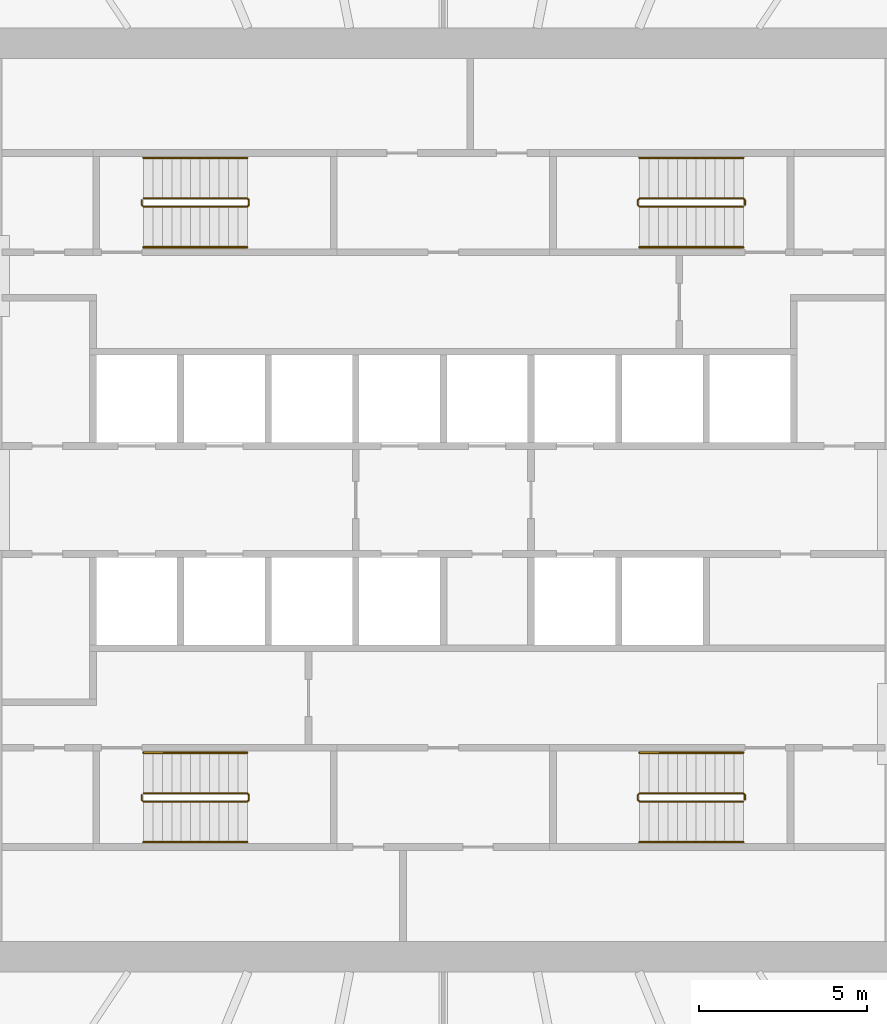
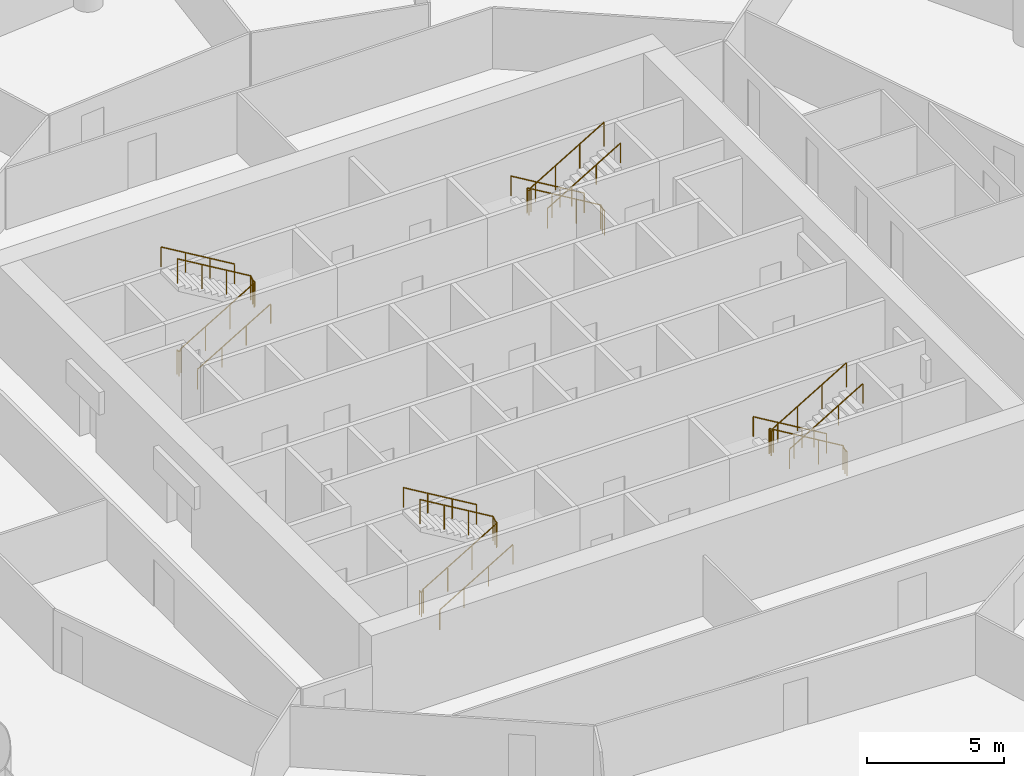
# One storey, part 9 of 9: 12 railings.
"""IFC4 building model written with IfcOpenShell, lengths in metres."""

from ifc_helpers import new_model, si_unit, direction, frame, origin, origin_2d, place, context, subcontext, project, spatial, circle, extrude, material, type_object, element, save


model = new_model("IFC4")

# Units and contexts
model_context = context("Model", 3, precision=1e-05, world=origin(), true_north=direction((0.0, 1.0)))
body_context = subcontext(model_context, "Body", "Model", "MODEL_VIEW")
ifc_project = project(units=[si_unit("LENGTHUNIT", "METRE"), si_unit("AREAUNIT", "SQUARE_METRE"), si_unit("VOLUMEUNIT", "CUBIC_METRE"), si_unit("PLANEANGLEUNIT", "RADIAN"), si_unit("MASSUNIT", "GRAM", prefix="KILO")], contexts=[model_context])

# Site, building, storey
site_placement = place(None, origin())
site = spatial("IfcSite", under=ifc_project, at=site_placement, CompositionType="ELEMENT")
building_placement = place(site_placement, origin())
building = spatial("IfcBuilding", under=site, at=building_placement, Name="Corvane Civic Tower", CompositionType="ELEMENT")
storey_placement = place(building_placement, frame((0.0, 0.0, 184.0)))
storey = spatial("IfcBuildingStorey", under=building, at=storey_placement, Name="L43", CompositionType="ELEMENT", Elevation=184.0)

# Railings
ifc_material_1 = material(Name="Steel ASTM A572 Gr 50", Category="steel")
railing_type_1 = type_object("IfcRailingType", Name="ST-GUARD-1100", PredefinedType="GUARDRAIL", material=ifc_material_1)
railing_1_placement = place(storey_placement, frame((8.949951171875, 8.75, 0.0)))
element("IfcRailing", 1, at=railing_1_placement, inside=storey, type_object=railing_type_1, Name="L43 ST1 stair guard 1", PredefinedType="GUARDRAIL", context=body_context, shape_type="SweptSolid", body=[
    extrude(circle(Radius=0.02392578125, at=origin_2d()), frame((0.0, 0.0, 1.076171875), z_axis=(0.0, 1.0, 0.0), x_axis=(-1.0, 0.0, 0.0)), (0.0, 0.0, 1.0), 0.14990234375),
    extrude(circle(Radius=0.02392578125, at=origin_2d()), frame((0.0, 0.14990234375, 1.076171875), z_axis=(-0.27628659633, 0.27628659633, 0.920506074601), x_axis=(-0.707106781187, -0.707106781187, 0.0)), (0.0, 0.0, 1.0), 0.18115234375),
    extrude(circle(Radius=0.02392578125, at=origin_2d()), frame((-0.050048828125, 0.199951171875, 1.24267578125), z_axis=(-0.859290745958, 0.0, 0.51148745235), x_axis=(0.0, -1.0, 0.0)), (0.0, 0.0, 1.0), 3.584228515625),
    extrude(circle(Radius=0.02392578125, at=origin_2d()), frame((-3.1298828125, 0.199951171875, 3.076171875), z_axis=(-0.707106781187, -0.707106781187, 0.0), x_axis=(0.707106781187, -0.707106781187, 0.0)), (0.0, 0.0, 1.0), 0.07080078125),
    extrude(circle(Radius=0.02392578125, at=origin_2d()), frame((-3.179931640625, 0.14990234375, 3.076171875), z_axis=(0.0, -1.0, 0.0), x_axis=(1.0, 0.0, 0.0)), (0.0, 0.0, 1.0), 0.14990234375),
    extrude(circle(Radius=0.02392578125, at=origin_2d()), frame((-3.179931640625, 0.0, 3.076171875), z_axis=(0.27628659633, -0.27628659633, 0.920506074601), x_axis=(0.707106781187, 0.707106781187, 0.0)), (0.0, 0.0, 1.0), 0.18115234375),
    extrude(circle(Radius=0.02392578125, at=origin_2d()), frame((-3.1298828125, -0.050048828125, 3.24267578125), z_axis=(0.859290745958, 0.0, 0.51148745235), x_axis=(0.0, 1.0, 0.0)), (0.0, 0.0, 1.0), 3.584228515625),
    extrude(circle(Radius=0.02099609375, at=origin_2d()), origin(), (0.0, 0.0, 1.0), 1.052001953125),
    extrude(circle(Radius=0.02099609375, at=origin_2d()), frame((0.0, 0.14990234375, 0.0)), (0.0, 0.0, 1.0), 1.052001953125),
    extrude(circle(Radius=0.02099609375, at=origin_2d()), frame((-0.050048828125, 0.199951171875, 0.166748046875)), (0.0, 0.0, 1.0), 1.052001953125),
    extrude(circle(Radius=0.02099609375, at=origin_2d()), frame((-1.07666015625, 0.199951171875, 0.77783203125)), (0.0, 0.0, 1.0), 1.052001953125),
    extrude(circle(Radius=0.02099609375, at=origin_2d()), frame((-2.103271484375, 0.199951171875, 1.388916015625)), (0.0, 0.0, 1.0), 1.052001953125),
    extrude(circle(Radius=0.02099609375, at=origin_2d()), frame((-3.1298828125, 0.199951171875, 2.0)), (0.0, 0.0, 1.0), 1.052001953125),
    extrude(circle(Radius=0.02099609375, at=origin_2d()), frame((-3.179931640625, 0.14990234375, 2.0)), (0.0, 0.0, 1.0), 1.052001953125),
    extrude(circle(Radius=0.02099609375, at=origin_2d()), frame((-3.179931640625, 0.0, 2.0)), (0.0, 0.0, 1.0), 1.052001953125),
    extrude(circle(Radius=0.02099609375, at=origin_2d()), frame((-3.1298828125, -0.050048828125, 2.166748046875)), (0.0, 0.0, 1.0), 1.052001953125),
    extrude(circle(Radius=0.02099609375, at=origin_2d()), frame((-2.103271484375, -0.050048828125, 2.77783203125)), (0.0, 0.0, 1.0), 1.052001953125),
    extrude(circle(Radius=0.02099609375, at=origin_2d()), frame((-1.07666015625, -0.050048828125, 3.388916015625)), (0.0, 0.0, 1.0), 1.052001953125),
    extrude(circle(Radius=0.02099609375, at=origin_2d()), frame((-0.050048828125, -0.050048828125, 4.0)), (0.0, 0.0, 1.0), 1.052001953125),
])
railing_2_placement = place(storey_placement, frame((8.949951171875, -8.89990234375, 0.0)))
element("IfcRailing", 2, at=railing_2_placement, inside=storey, type_object=railing_type_1, Name="L43 ST2 stair guard 1", PredefinedType="GUARDRAIL", context=body_context, shape_type="SweptSolid", body=[
    extrude(circle(Radius=0.02392578125, at=origin_2d()), frame((0.0, 0.0, 1.076171875), z_axis=(0.0, 1.0, 0.0), x_axis=(-1.0, 0.0, 0.0)), (0.0, 0.0, 1.0), 0.14990234375),
    extrude(circle(Radius=0.02392578125, at=origin_2d()), frame((0.0, 0.14990234375, 1.076171875), z_axis=(-0.27628659633, 0.27628659633, 0.920506074601), x_axis=(-0.707106781187, -0.707106781187, 0.0)), (0.0, 0.0, 1.0), 0.18115234375),
    extrude(circle(Radius=0.02392578125, at=origin_2d()), frame((-0.050048828125, 0.199951171875, 1.24267578125), z_axis=(-0.859290745958, 0.0, 0.51148745235), x_axis=(0.0, -1.0, 0.0)), (0.0, 0.0, 1.0), 3.584228515625),
    extrude(circle(Radius=0.02392578125, at=origin_2d()), frame((-3.1298828125, 0.199951171875, 3.076171875), z_axis=(-0.707106781187, -0.707106781187, 0.0), x_axis=(0.707106781187, -0.707106781187, 0.0)), (0.0, 0.0, 1.0), 0.07080078125),
    extrude(circle(Radius=0.02392578125, at=origin_2d()), frame((-3.179931640625, 0.14990234375, 3.076171875), z_axis=(0.0, -1.0, 0.0), x_axis=(1.0, 0.0, 0.0)), (0.0, 0.0, 1.0), 0.14990234375),
    extrude(circle(Radius=0.02392578125, at=origin_2d()), frame((-3.179931640625, 0.0, 3.076171875), z_axis=(0.27628659633, -0.27628659633, 0.920506074601), x_axis=(0.707106781187, 0.707106781187, 0.0)), (0.0, 0.0, 1.0), 0.18115234375),
    extrude(circle(Radius=0.02392578125, at=origin_2d()), frame((-3.1298828125, -0.050048828125, 3.24267578125), z_axis=(0.859290745958, 0.0, 0.51148745235), x_axis=(0.0, 1.0, 0.0)), (0.0, 0.0, 1.0), 3.584228515625),
    extrude(circle(Radius=0.02099609375, at=origin_2d()), origin(), (0.0, 0.0, 1.0), 1.052001953125),
    extrude(circle(Radius=0.02099609375, at=origin_2d()), frame((0.0, 0.14990234375, 0.0)), (0.0, 0.0, 1.0), 1.052001953125),
    extrude(circle(Radius=0.02099609375, at=origin_2d()), frame((-0.050048828125, 0.199951171875, 0.166748046875)), (0.0, 0.0, 1.0), 1.052001953125),
    extrude(circle(Radius=0.02099609375, at=origin_2d()), frame((-1.07666015625, 0.199951171875, 0.77783203125)), (0.0, 0.0, 1.0), 1.052001953125),
    extrude(circle(Radius=0.02099609375, at=origin_2d()), frame((-2.103271484375, 0.199951171875, 1.388916015625)), (0.0, 0.0, 1.0), 1.052001953125),
    extrude(circle(Radius=0.02099609375, at=origin_2d()), frame((-3.1298828125, 0.199951171875, 2.0)), (0.0, 0.0, 1.0), 1.052001953125),
    extrude(circle(Radius=0.02099609375, at=origin_2d()), frame((-3.179931640625, 0.14990234375, 2.0)), (0.0, 0.0, 1.0), 1.052001953125),
    extrude(circle(Radius=0.02099609375, at=origin_2d()), frame((-3.179931640625, 0.0, 2.0)), (0.0, 0.0, 1.0), 1.052001953125),
    extrude(circle(Radius=0.02099609375, at=origin_2d()), frame((-3.1298828125, -0.050048828125, 2.166748046875)), (0.0, 0.0, 1.0), 1.052001953125),
    extrude(circle(Radius=0.02099609375, at=origin_2d()), frame((-2.103271484375, -0.050048828125, 2.77783203125)), (0.0, 0.0, 1.0), 1.052001953125),
    extrude(circle(Radius=0.02099609375, at=origin_2d()), frame((-1.07666015625, -0.050048828125, 3.388916015625)), (0.0, 0.0, 1.0), 1.052001953125),
    extrude(circle(Radius=0.02099609375, at=origin_2d()), frame((-0.050048828125, -0.050048828125, 4.0)), (0.0, 0.0, 1.0), 1.052001953125),
])
railing_3_placement = place(storey_placement, frame((-8.949951171875, -8.75, 0.0)))
element("IfcRailing", 3, at=railing_3_placement, inside=storey, type_object=railing_type_1, Name="L43 ST3 stair guard 1", PredefinedType="GUARDRAIL", context=body_context, shape_type="SweptSolid", body=[
    extrude(circle(Radius=0.02392578125, at=origin_2d()), frame((0.0, 0.0, 1.076171875), z_axis=(0.0, -1.0, 0.0), x_axis=(1.0, 0.0, 0.0)), (0.0, 0.0, 1.0), 0.14990234375),
    extrude(circle(Radius=0.02392578125, at=origin_2d()), frame((0.0, -0.14990234375, 1.076171875), z_axis=(0.27628659633, -0.27628659633, 0.920506074601), x_axis=(0.707106781187, 0.707106781187, 0.0)), (0.0, 0.0, 1.0), 0.18115234375),
    extrude(circle(Radius=0.02392578125, at=origin_2d()), frame((0.050048828125, -0.199951171875, 1.24267578125), z_axis=(0.859290745958, 0.0, 0.51148745235), x_axis=(0.0, 1.0, 0.0)), (0.0, 0.0, 1.0), 3.584228515625),
    extrude(circle(Radius=0.02392578125, at=origin_2d()), frame((3.1298828125, -0.199951171875, 3.076171875), z_axis=(0.707106781187, 0.707106781187, 0.0), x_axis=(-0.707106781187, 0.707106781187, 0.0)), (0.0, 0.0, 1.0), 0.07080078125),
    extrude(circle(Radius=0.02392578125, at=origin_2d()), frame((3.179931640625, -0.14990234375, 3.076171875), z_axis=(0.0, 1.0, 0.0), x_axis=(-1.0, 0.0, 0.0)), (0.0, 0.0, 1.0), 0.14990234375),
    extrude(circle(Radius=0.02392578125, at=origin_2d()), frame((3.179931640625, 0.0, 3.076171875), z_axis=(-0.27628659633, 0.27628659633, 0.920506074601), x_axis=(-0.707106781187, -0.707106781187, 0.0)), (0.0, 0.0, 1.0), 0.18115234375),
    extrude(circle(Radius=0.02392578125, at=origin_2d()), frame((3.1298828125, 0.050048828125, 3.24267578125), z_axis=(-0.859290745958, 0.0, 0.51148745235), x_axis=(0.0, -1.0, 0.0)), (0.0, 0.0, 1.0), 3.584228515625),
    extrude(circle(Radius=0.02099609375, at=origin_2d()), origin(), (0.0, 0.0, 1.0), 1.052001953125),
    extrude(circle(Radius=0.02099609375, at=origin_2d()), frame((0.0, -0.14990234375, 0.0)), (0.0, 0.0, 1.0), 1.052001953125),
    extrude(circle(Radius=0.02099609375, at=origin_2d()), frame((0.050048828125, -0.199951171875, 0.166748046875)), (0.0, 0.0, 1.0), 1.052001953125),
    extrude(circle(Radius=0.02099609375, at=origin_2d()), frame((1.07666015625, -0.199951171875, 0.77783203125)), (0.0, 0.0, 1.0), 1.052001953125),
    extrude(circle(Radius=0.02099609375, at=origin_2d()), frame((2.103271484375, -0.199951171875, 1.388916015625)), (0.0, 0.0, 1.0), 1.052001953125),
    extrude(circle(Radius=0.02099609375, at=origin_2d()), frame((3.1298828125, -0.199951171875, 2.0)), (0.0, 0.0, 1.0), 1.052001953125),
    extrude(circle(Radius=0.02099609375, at=origin_2d()), frame((3.179931640625, -0.14990234375, 2.0)), (0.0, 0.0, 1.0), 1.052001953125),
    extrude(circle(Radius=0.02099609375, at=origin_2d()), frame((3.179931640625, 0.0, 2.0)), (0.0, 0.0, 1.0), 1.052001953125),
    extrude(circle(Radius=0.02099609375, at=origin_2d()), frame((3.1298828125, 0.050048828125, 2.166748046875)), (0.0, 0.0, 1.0), 1.052001953125),
    extrude(circle(Radius=0.02099609375, at=origin_2d()), frame((2.103271484375, 0.050048828125, 2.77783203125)), (0.0, 0.0, 1.0), 1.052001953125),
    extrude(circle(Radius=0.02099609375, at=origin_2d()), frame((1.07666015625, 0.050048828125, 3.388916015625)), (0.0, 0.0, 1.0), 1.052001953125),
    extrude(circle(Radius=0.02099609375, at=origin_2d()), frame((0.050048828125, 0.050048828125, 4.0)), (0.0, 0.0, 1.0), 1.052001953125),
])
railing_4_placement = place(storey_placement, frame((-8.949951171875, 8.89990234375, 0.0)))
element("IfcRailing", 4, at=railing_4_placement, inside=storey, type_object=railing_type_1, Name="L43 ST4 stair guard 1", PredefinedType="GUARDRAIL", context=body_context, shape_type="SweptSolid", body=[
    extrude(circle(Radius=0.02392578125, at=origin_2d()), frame((0.0, 0.0, 1.076171875), z_axis=(0.0, -1.0, 0.0), x_axis=(1.0, 0.0, 0.0)), (0.0, 0.0, 1.0), 0.14990234375),
    extrude(circle(Radius=0.02392578125, at=origin_2d()), frame((0.0, -0.14990234375, 1.076171875), z_axis=(0.27628659633, -0.27628659633, 0.920506074601), x_axis=(0.707106781187, 0.707106781187, 0.0)), (0.0, 0.0, 1.0), 0.18115234375),
    extrude(circle(Radius=0.02392578125, at=origin_2d()), frame((0.050048828125, -0.199951171875, 1.24267578125), z_axis=(0.859290745958, 0.0, 0.51148745235), x_axis=(0.0, 1.0, 0.0)), (0.0, 0.0, 1.0), 3.584228515625),
    extrude(circle(Radius=0.02392578125, at=origin_2d()), frame((3.1298828125, -0.199951171875, 3.076171875), z_axis=(0.707106781187, 0.707106781187, 0.0), x_axis=(-0.707106781187, 0.707106781187, 0.0)), (0.0, 0.0, 1.0), 0.07080078125),
    extrude(circle(Radius=0.02392578125, at=origin_2d()), frame((3.179931640625, -0.14990234375, 3.076171875), z_axis=(0.0, 1.0, 0.0), x_axis=(-1.0, 0.0, 0.0)), (0.0, 0.0, 1.0), 0.14990234375),
    extrude(circle(Radius=0.02392578125, at=origin_2d()), frame((3.179931640625, 0.0, 3.076171875), z_axis=(-0.27628659633, 0.27628659633, 0.920506074601), x_axis=(-0.707106781187, -0.707106781187, 0.0)), (0.0, 0.0, 1.0), 0.18115234375),
    extrude(circle(Radius=0.02392578125, at=origin_2d()), frame((3.1298828125, 0.050048828125, 3.24267578125), z_axis=(-0.859290745958, 0.0, 0.51148745235), x_axis=(0.0, -1.0, 0.0)), (0.0, 0.0, 1.0), 3.584228515625),
    extrude(circle(Radius=0.02099609375, at=origin_2d()), origin(), (0.0, 0.0, 1.0), 1.052001953125),
    extrude(circle(Radius=0.02099609375, at=origin_2d()), frame((0.0, -0.14990234375, 0.0)), (0.0, 0.0, 1.0), 1.052001953125),
    extrude(circle(Radius=0.02099609375, at=origin_2d()), frame((0.050048828125, -0.199951171875, 0.166748046875)), (0.0, 0.0, 1.0), 1.052001953125),
    extrude(circle(Radius=0.02099609375, at=origin_2d()), frame((1.07666015625, -0.199951171875, 0.77783203125)), (0.0, 0.0, 1.0), 1.052001953125),
    extrude(circle(Radius=0.02099609375, at=origin_2d()), frame((2.103271484375, -0.199951171875, 1.388916015625)), (0.0, 0.0, 1.0), 1.052001953125),
    extrude(circle(Radius=0.02099609375, at=origin_2d()), frame((3.1298828125, -0.199951171875, 2.0)), (0.0, 0.0, 1.0), 1.052001953125),
    extrude(circle(Radius=0.02099609375, at=origin_2d()), frame((3.179931640625, -0.14990234375, 2.0)), (0.0, 0.0, 1.0), 1.052001953125),
    extrude(circle(Radius=0.02099609375, at=origin_2d()), frame((3.179931640625, 0.0, 2.0)), (0.0, 0.0, 1.0), 1.052001953125),
    extrude(circle(Radius=0.02099609375, at=origin_2d()), frame((3.1298828125, 0.050048828125, 2.166748046875)), (0.0, 0.0, 1.0), 1.052001953125),
    extrude(circle(Radius=0.02099609375, at=origin_2d()), frame((2.103271484375, 0.050048828125, 2.77783203125)), (0.0, 0.0, 1.0), 1.052001953125),
    extrude(circle(Radius=0.02099609375, at=origin_2d()), frame((1.07666015625, 0.050048828125, 3.388916015625)), (0.0, 0.0, 1.0), 1.052001953125),
    extrude(circle(Radius=0.02099609375, at=origin_2d()), frame((0.050048828125, 0.050048828125, 4.0)), (0.0, 0.0, 1.0), 1.052001953125),
])
ifc_material_2 = material(Name="Steel ASTM A572 Gr 50", Category="steel")
railing_type_2 = type_object("IfcRailingType", Name="ST-HANDRAIL-900", PredefinedType="HANDRAIL", material=ifc_material_2)
railing_5_placement = place(storey_placement, frame((8.89990234375, 10.14990234375, 0.166748046875)))
element("IfcRailing", 5, at=railing_5_placement, inside=storey, type_object=railing_type_2, Name="L43 ST1 stair handrail 1", PredefinedType="HANDRAIL", context=body_context, shape_type="SweptSolid", body=[
    extrude(circle(Radius=0.02392578125, at=origin_2d()), frame((0.0, 0.0, 0.8759765625), z_axis=(-0.859290745958, 0.0, 0.51148745235), x_axis=(0.0, -1.0, 0.0)), (0.0, 0.0, 1.0), 3.584228515625),
    extrude(circle(Radius=0.02099609375, at=origin_2d()), origin(), (0.0, 0.0, 1.0), 0.851806640625),
    extrude(circle(Radius=0.02099609375, at=origin_2d()), frame((-1.026611328125, 0.0, 0.611083984375)), (0.0, 0.0, 1.0), 0.851806640625),
    extrude(circle(Radius=0.02099609375, at=origin_2d()), frame((-2.05322265625, 0.0, 1.22216796875)), (0.0, 0.0, 1.0), 0.851806640625),
    extrude(circle(Radius=0.02099609375, at=origin_2d()), frame((-3.079833984375, 0.0, 1.833251953125)), (0.0, 0.0, 1.0), 0.851806640625),
])
railing_6_placement = place(storey_placement, frame((5.820068359375, 7.5, 2.166748046875)))
element("IfcRailing", 6, at=railing_6_placement, inside=storey, type_object=railing_type_2, Name="L43 ST1 stair handrail 2", PredefinedType="HANDRAIL", context=body_context, shape_type="SweptSolid", body=[
    extrude(circle(Radius=0.02392578125, at=origin_2d()), frame((0.0, 0.0, 0.8759765625), z_axis=(0.859290745958, 0.0, 0.51148745235), x_axis=(0.0, 1.0, 0.0)), (0.0, 0.0, 1.0), 3.584228515625),
    extrude(circle(Radius=0.02099609375, at=origin_2d()), origin(), (0.0, 0.0, 1.0), 0.851806640625),
    extrude(circle(Radius=0.02099609375, at=origin_2d()), frame((1.026611328125, 0.0, 0.611083984375)), (0.0, 0.0, 1.0), 0.851806640625),
    extrude(circle(Radius=0.02099609375, at=origin_2d()), frame((2.05322265625, 0.0, 1.22216796875)), (0.0, 0.0, 1.0), 0.851806640625),
    extrude(circle(Radius=0.02099609375, at=origin_2d()), frame((3.079833984375, 0.0, 1.833251953125)), (0.0, 0.0, 1.0), 0.851806640625),
])
railing_7_placement = place(storey_placement, frame((8.89990234375, -7.5, 0.166748046875)))
element("IfcRailing", 7, at=railing_7_placement, inside=storey, type_object=railing_type_2, Name="L43 ST2 stair handrail 1", PredefinedType="HANDRAIL", context=body_context, shape_type="SweptSolid", body=[
    extrude(circle(Radius=0.02392578125, at=origin_2d()), frame((0.0, 0.0, 0.8759765625), z_axis=(-0.859290745958, 0.0, 0.51148745235), x_axis=(0.0, -1.0, 0.0)), (0.0, 0.0, 1.0), 3.584228515625),
    extrude(circle(Radius=0.02099609375, at=origin_2d()), origin(), (0.0, 0.0, 1.0), 0.851806640625),
    extrude(circle(Radius=0.02099609375, at=origin_2d()), frame((-1.026611328125, 0.0, 0.611083984375)), (0.0, 0.0, 1.0), 0.851806640625),
    extrude(circle(Radius=0.02099609375, at=origin_2d()), frame((-2.05322265625, 0.0, 1.22216796875)), (0.0, 0.0, 1.0), 0.851806640625),
    extrude(circle(Radius=0.02099609375, at=origin_2d()), frame((-3.079833984375, 0.0, 1.833251953125)), (0.0, 0.0, 1.0), 0.851806640625),
])
for number, where, name in (
    (8, (5.820068359375, -10.14990234375, 2.166748046875), "L43 ST2 stair handrail 2"),
    (9, (-8.89990234375, -10.14990234375, 0.166748046875), "L43 ST3 stair handrail 1"),
):
    element("IfcRailing", number, at=place(storey_placement, frame(where)), inside=storey, type_object=railing_type_2, Name=name, PredefinedType="HANDRAIL", context=body_context, shape_type="SweptSolid", body=[
        extrude(circle(Radius=0.02392578125, at=origin_2d()), frame((0.0, 0.0, 0.8759765625), z_axis=(0.859290745958, 0.0, 0.51148745235), x_axis=(0.0, 1.0, 0.0)), (0.0, 0.0, 1.0), 3.584228515625),
        extrude(circle(Radius=0.02099609375, at=origin_2d()), origin(), (0.0, 0.0, 1.0), 0.851806640625),
        extrude(circle(Radius=0.02099609375, at=origin_2d()), frame((1.026611328125, 0.0, 0.611083984375)), (0.0, 0.0, 1.0), 0.851806640625),
        extrude(circle(Radius=0.02099609375, at=origin_2d()), frame((2.05322265625, 0.0, 1.22216796875)), (0.0, 0.0, 1.0), 0.851806640625),
        extrude(circle(Radius=0.02099609375, at=origin_2d()), frame((3.079833984375, 0.0, 1.833251953125)), (0.0, 0.0, 1.0), 0.851806640625),
    ])
railing_8_placement = place(storey_placement, frame((-5.820068359375, -7.5, 2.166748046875)))
element("IfcRailing", 10, at=railing_8_placement, inside=storey, type_object=railing_type_2, Name="L43 ST3 stair handrail 2", PredefinedType="HANDRAIL", context=body_context, shape_type="SweptSolid", body=[
    extrude(circle(Radius=0.02392578125, at=origin_2d()), frame((0.0, 0.0, 0.8759765625), z_axis=(-0.859290745958, 0.0, 0.51148745235), x_axis=(0.0, -1.0, 0.0)), (0.0, 0.0, 1.0), 3.584228515625),
    extrude(circle(Radius=0.02099609375, at=origin_2d()), origin(), (0.0, 0.0, 1.0), 0.851806640625),
    extrude(circle(Radius=0.02099609375, at=origin_2d()), frame((-1.026611328125, 0.0, 0.611083984375)), (0.0, 0.0, 1.0), 0.851806640625),
    extrude(circle(Radius=0.02099609375, at=origin_2d()), frame((-2.05322265625, 0.0, 1.22216796875)), (0.0, 0.0, 1.0), 0.851806640625),
    extrude(circle(Radius=0.02099609375, at=origin_2d()), frame((-3.079833984375, 0.0, 1.833251953125)), (0.0, 0.0, 1.0), 0.851806640625),
])
railing_9_placement = place(storey_placement, frame((-8.89990234375, 7.5, 0.166748046875)))
element("IfcRailing", 11, at=railing_9_placement, inside=storey, type_object=railing_type_2, Name="L43 ST4 stair handrail 1", PredefinedType="HANDRAIL", context=body_context, shape_type="SweptSolid", body=[
    extrude(circle(Radius=0.02392578125, at=origin_2d()), frame((0.0, 0.0, 0.8759765625), z_axis=(0.859290745958, 0.0, 0.51148745235), x_axis=(0.0, 1.0, 0.0)), (0.0, 0.0, 1.0), 3.584228515625),
    extrude(circle(Radius=0.02099609375, at=origin_2d()), origin(), (0.0, 0.0, 1.0), 0.851806640625),
    extrude(circle(Radius=0.02099609375, at=origin_2d()), frame((1.026611328125, 0.0, 0.611083984375)), (0.0, 0.0, 1.0), 0.851806640625),
    extrude(circle(Radius=0.02099609375, at=origin_2d()), frame((2.05322265625, 0.0, 1.22216796875)), (0.0, 0.0, 1.0), 0.851806640625),
    extrude(circle(Radius=0.02099609375, at=origin_2d()), frame((3.079833984375, 0.0, 1.833251953125)), (0.0, 0.0, 1.0), 0.851806640625),
])
railing_10_placement = place(storey_placement, frame((-5.820068359375, 10.14990234375, 2.166748046875)))
element("IfcRailing", 12, at=railing_10_placement, inside=storey, type_object=railing_type_2, Name="L43 ST4 stair handrail 2", PredefinedType="HANDRAIL", context=body_context, shape_type="SweptSolid", body=[
    extrude(circle(Radius=0.02392578125, at=origin_2d()), frame((0.0, 0.0, 0.8759765625), z_axis=(-0.859290745958, 0.0, 0.51148745235), x_axis=(0.0, -1.0, 0.0)), (0.0, 0.0, 1.0), 3.584228515625),
    extrude(circle(Radius=0.02099609375, at=origin_2d()), origin(), (0.0, 0.0, 1.0), 0.851806640625),
    extrude(circle(Radius=0.02099609375, at=origin_2d()), frame((-1.026611328125, 0.0, 0.611083984375)), (0.0, 0.0, 1.0), 0.851806640625),
    extrude(circle(Radius=0.02099609375, at=origin_2d()), frame((-2.05322265625, 0.0, 1.22216796875)), (0.0, 0.0, 1.0), 0.851806640625),
    extrude(circle(Radius=0.02099609375, at=origin_2d()), frame((-3.079833984375, 0.0, 1.833251953125)), (0.0, 0.0, 1.0), 0.851806640625),
])

save(model, "model.ifc")
